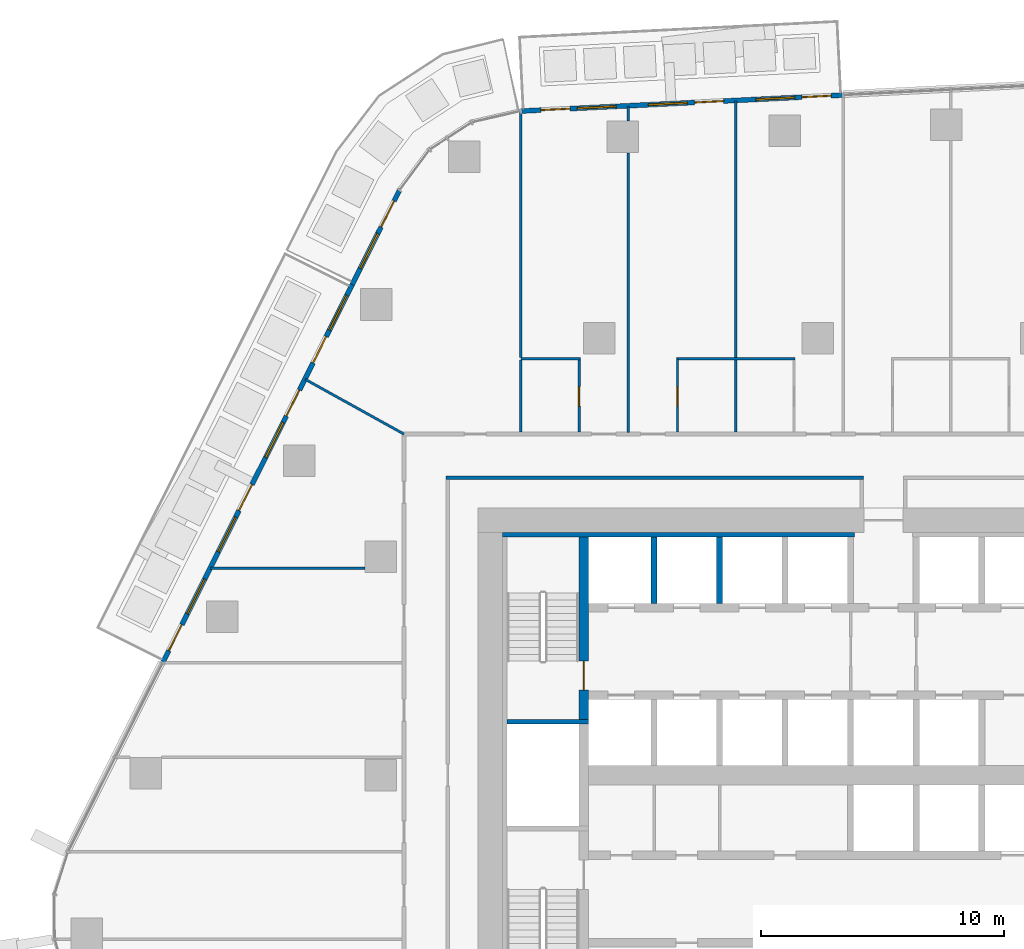
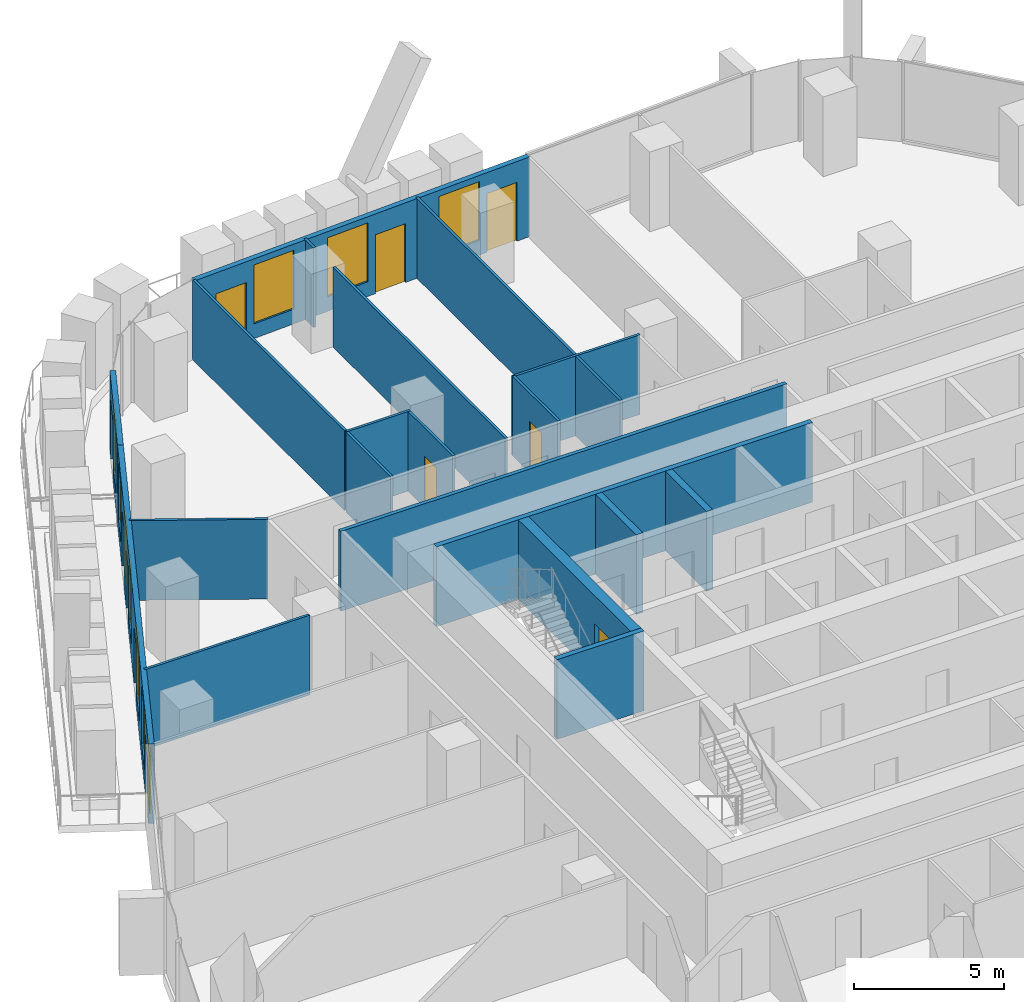
# One storey, part 16 of 26: 21 walls, 11 doors, 8 windows, 19 openings.
"""IFC4 building model written with IfcOpenShell, lengths in metres."""

from ifc_helpers import new_model, si_unit, direction, frame, frame_2d, origin, place, context, subcontext, project, spatial, rectangle, extrude, material, layer, layer_set, type_object, element, fill, save


model = new_model("IFC4")

# Units and contexts
model_context = context("Model", 3, precision=1e-05, world=origin(), true_north=direction((0.0, 1.0)))
body_context = subcontext(model_context, "Body", "Model", "MODEL_VIEW")
ifc_project = project(units=[si_unit("LENGTHUNIT", "METRE"), si_unit("AREAUNIT", "SQUARE_METRE"), si_unit("VOLUMEUNIT", "CUBIC_METRE"), si_unit("PLANEANGLEUNIT", "RADIAN"), si_unit("MASSUNIT", "GRAM", prefix="KILO")], contexts=[model_context])

# Site, building, storey
site_placement = place(None, origin())
site = spatial("IfcSite", under=ifc_project, at=site_placement, CompositionType="ELEMENT")
building_placement = place(site_placement, origin())
building = spatial("IfcBuilding", under=site, at=building_placement, Name="Dongbaek Canopy Tower", CompositionType="ELEMENT")
storey_placement = place(building_placement, frame((0.0, 0.0, 95.199951171875)))
storey = spatial("IfcBuildingStorey", under=building, at=storey_placement, Name="L19", CompositionType="ELEMENT", Elevation=95.199951171875)

# Walls
ifc_material_1 = material(Name="Concrete C60/75", Category="concrete")
ifc_layer_1 = layer(ifc_material_1, 0.199951171875)
ifc_layer_set_1 = layer_set([ifc_layer_1], Name="Core wall lining 200 Concrete C60/75")
wall_type_1 = type_object("IfcWallType", Name="Core wall lining 200 Concrete C60/75", PredefinedType="SHEAR", material=ifc_layer_set_1)
wall_1_placement = place(storey_placement, frame((-13.0, 9.89990234375, 0.0), z_axis=(0.0, 0.0, 1.0), x_axis=(1.0, 0.0, 0.0)))
element("IfcWall", 1, at=wall_1_placement, inside=storey, type_object=wall_type_1, Name="Core wall lining", PredefinedType="SHEAR", context=body_context, shape_type="SweptSolid", body=[
    extrude(rectangle(XDim=14.5, YDim=0.199951171875, at=frame_2d((7.25, 0.0))), origin(), (0.0, 0.0, 1.0), 3.25),
])
ifc_material_2 = material(Name="Gypsum board partition, steel stud, 2 x 15 mm fire board", Category="steel")
ifc_layer_2 = layer(ifc_material_2, 0.14990234375)
ifc_layer_set_2 = layer_set([ifc_layer_2], Name="Fire-rated partition 150 gypsum board")
wall_type_2 = type_object("IfcWallType", Name="Fire-rated partition 150 gypsum board", PredefinedType="PARTITIONING", material=ifc_layer_set_2)
wall_2_placement = place(storey_placement, frame((-15.324951171875, 12.25, 0.0), z_axis=(0.0, 0.0, 1.0), x_axis=(1.0, 0.0, 0.0)))
element("IfcWall", 2, at=wall_2_placement, inside=storey, type_object=wall_type_2, Name="Corridor partition", PredefinedType="PARTITIONING", context=body_context, shape_type="SweptSolid", body=[
    extrude(rectangle(XDim=17.199951171875, YDim=0.14990234375, at=frame_2d((8.60009765625, 0.0))), origin(), (0.0, 0.0, 1.0), 3.25),
])
ifc_material_3 = material(Name="Concrete C40/50", Category="concrete")
ifc_layer_3 = layer(ifc_material_3, 0.25)
ifc_layer_set_3 = layer_set([ifc_layer_3], Name="Lift shaft wall 250 Concrete C40/50")
wall_type_3 = type_object("IfcWallType", Name="Lift shaft wall 250 Concrete C40/50", PredefinedType="SOLIDWALL", material=ifc_layer_set_3)
for number, where, z_axis, x_axis, name in (
    (3, (-4.050048828125, 7.074951171875, 0.0), (0.0, 0.0, 1.0), (0.0, 1.0, 0.0), "Lift shaft wall"),
    (4, (-6.75, 7.074951171875, 0.0), (0.0, 0.0, 1.0), (0.0, 1.0, 0.0), "Lift shaft wall"),
):
    element("IfcWall", number, at=place(storey_placement, frame(where, z_axis=z_axis, x_axis=x_axis)), inside=storey, type_object=wall_type_3, Name=name, PredefinedType="SOLIDWALL", context=body_context, shape_type="SweptSolid", body=[
        extrude(rectangle(XDim=2.72509765625, YDim=0.25, at=frame_2d((1.362548828125, 0.0))), origin(), (0.0, 0.0, 1.0), 3.25),
    ])
ifc_material_4 = material(Name="Gypsum board partition, steel stud, 2 x 12.5 mm board", Category="steel")
ifc_layer_4 = layer(ifc_material_4, 0.10009765625)
ifc_layer_set_4 = layer_set([ifc_layer_4], Name="Partition 100 gypsum board")
wall_type_4 = type_object("IfcWallType", Name="Partition 100 gypsum board", PredefinedType="PARTITIONING", material=ifc_layer_set_4)
wall_3_placement = place(storey_placement, frame((-25.013427734375, 8.52294921875, 0.0), z_axis=(0.0, 0.0, 1.0), x_axis=(1.0, 0.0, 0.0)))
element("IfcWall", 5, at=wall_3_placement, inside=storey, type_object=wall_type_4, Name="Partition", PredefinedType="PARTITIONING", context=body_context, shape_type="SweptSolid", body=[
    extrude(rectangle(XDim=6.363525390625, YDim=0.10009765625, at=frame_2d((3.181640625, 0.0))), origin(), (0.0, 0.0, 1.0), 3.25),
])
wall_4_placement = place(storey_placement, frame((-12.238037109375, 17.14990234375, 0.0), z_axis=(0.0, 0.0, 1.0), x_axis=(1.0, 0.0, 0.0)))
element("IfcWall", 6, at=wall_4_placement, inside=storey, type_object=wall_type_4, Name="Partition", PredefinedType="PARTITIONING", context=body_context, shape_type="SweptSolid", body=[
    extrude(rectangle(XDim=2.449951171875, YDim=0.10009765625, at=frame_2d((1.22509765625, 0.0))), origin(), (0.0, 0.0, 1.0), 3.25),
])
wall_5_placement = place(storey_placement, frame((-5.83447265625, 17.14990234375, 0.0), z_axis=(0.0, 0.0, 1.0), x_axis=(1.0, 0.0, 0.0)))
element("IfcWall", 7, at=wall_5_placement, inside=storey, type_object=wall_type_4, Name="Partition", PredefinedType="PARTITIONING", context=body_context, shape_type="SweptSolid", body=[
    extrude(rectangle(XDim=4.89990234375, YDim=0.10009765625, at=frame_2d((2.449951171875, 0.0))), origin(), (0.0, 0.0, 1.0), 3.25),
])
wall_6_placement = place(storey_placement, frame((-3.385009765625, 14.125, 0.0), z_axis=(0.0, 0.0, 1.0), x_axis=(0.0, 1.0, 0.0)))
element("IfcWall", 8, at=wall_6_placement, inside=storey, type_object=wall_type_4, Name="Partition", PredefinedType="PARTITIONING", context=body_context, shape_type="SweptSolid", body=[
    extrude(rectangle(XDim=2.97509765625, YDim=0.10009765625, at=frame_2d((1.487548828125, 0.0))), origin(), (0.0, 0.0, 1.0), 3.25),
])
wall_7_placement = place(storey_placement, frame((-3.385009765625, 17.199951171875, 0.0), z_axis=(0.0, 0.0, 1.0), x_axis=(0.0, 1.0, 0.0)))
element("IfcWall", 9, at=wall_7_placement, inside=storey, type_object=wall_type_4, Name="Partition", PredefinedType="PARTITIONING", context=body_context, shape_type="SweptSolid", body=[
    extrude(rectangle(XDim=10.572998046875, YDim=0.10009765625, at=frame_2d((5.28662109375, 0.0))), origin(), (0.0, 0.0, 1.0), 3.25),
])

# Wall, opening, door
wall_8_placement = place(storey_placement, frame((-5.784912109375, 17.14990234375, 0.0), z_axis=(0.0, 0.0, 1.0), x_axis=(0.0, -1.0, 0.0)))
wall_8 = element("IfcWall", 10, at=wall_8_placement, inside=storey, type_object=wall_type_4, Name="Partition", PredefinedType="PARTITIONING", context=body_context, shape_type="SweptSolid", body=[
    extrude(rectangle(XDim=3.02490234375, YDim=0.10009765625, at=frame_2d((1.512451171875, 0.0))), origin(), (0.0, 0.0, 1.0), 3.25),
])
opening_1_placement = place(wall_8_placement, frame((1.14990234375, 0.0, 0.0)))
opening_1 = element("IfcOpeningElement", 11, at=opening_1_placement, cuts=wall_8, Name="Opening L19-D031", PredefinedType="OPENING", context=body_context, shape_type="SweptSolid", body=[
    extrude(rectangle(XDim=0.800048828125, YDim=2.10009765625, at=frame_2d((0.39990234375, 1.050048828125))), frame((0.0, 0.06005859375, 0.0), z_axis=(0.0, -1.0, 0.0), x_axis=(1.0, 0.0, 0.0)), (0.0, 0.0, 1.0), 0.1201171875),
])
ifc_material_5 = material(Name="Timber veneered door leaf", Category="wood")
door_type_1 = type_object("IfcDoorType", Name="En-suite door 800 x 2100", OperationType="SINGLE_SWING_LEFT", PredefinedType="DOOR", material=ifc_material_5)
door_1_placement = place(opening_1_placement, origin())
door_1 = element("IfcDoor", 12, at=door_1_placement, inside=storey, type_object=door_type_1, Name="Door L19-D031", OperationType="SINGLE_SWING_LEFT", OverallHeight=2.10009765625, OverallWidth=0.800048828125, PredefinedType="DOOR", context=body_context, shape_type="SweptSolid", body=[
    extrude(rectangle(XDim=0.800048828125, YDim=2.10009765625, at=frame_2d((0.39990234375, 1.050048828125))), frame((0.0, 0.02490234375, 0.0), z_axis=(0.0, -1.0, 0.0), x_axis=(1.0, 0.0, 0.0)), (0.0, 0.0, 1.0), 0.050048828125),
])
fill(opening_1, door_1)

# Walls
wall_9_placement = place(storey_placement, frame((-7.81103515625, 14.125, 0.0), z_axis=(0.0, 0.0, 1.0), x_axis=(0.0, 1.0, 0.0)))
element("IfcWall", 13, at=wall_9_placement, inside=storey, type_object=wall_type_4, Name="Partition", PredefinedType="PARTITIONING", context=body_context, shape_type="SweptSolid", body=[
    extrude(rectangle(XDim=11.512939453125, YDim=0.10009765625, at=frame_2d((5.75634765625, 0.0))), origin(), (0.0, 0.0, 1.0), 3.25),
])
wall_10_placement = place(storey_placement, frame((-7.81103515625, 26.93798828125, 0.0), z_axis=(0.0, 0.0, 1.0), x_axis=(0.0, 1.0, 0.0)))
element("IfcWall", 14, at=wall_10_placement, inside=storey, type_object=wall_type_4, Name="Partition", PredefinedType="PARTITIONING", context=body_context, shape_type="SweptSolid", body=[
    extrude(rectangle(XDim=0.615478515625, YDim=0.10009765625, at=frame_2d((0.3076171875, 0.0))), origin(), (0.0, 0.0, 1.0), 3.25),
])

# Wall, opening, door
wall_11_placement = place(storey_placement, frame((-9.837890625, 14.125, 0.0), z_axis=(0.0, 0.0, 1.0), x_axis=(0.0, 1.0, 0.0)))
wall_11 = element("IfcWall", 15, at=wall_11_placement, inside=storey, type_object=wall_type_4, Name="Partition", PredefinedType="PARTITIONING", context=body_context, shape_type="SweptSolid", body=[
    extrude(rectangle(XDim=3.02490234375, YDim=0.10009765625, at=frame_2d((1.512451171875, 0.0))), origin(), (0.0, 0.0, 1.0), 3.25),
])
opening_2_placement = place(wall_11_placement, frame((1.074951171875, 0.0, 0.0)))
opening_2 = element("IfcOpeningElement", 16, at=opening_2_placement, cuts=wall_11, Name="Opening L19-D033", PredefinedType="OPENING", context=body_context, shape_type="SweptSolid", body=[
    extrude(rectangle(XDim=0.800048828125, YDim=2.10009765625, at=frame_2d((0.39990234375, 1.050048828125))), frame((0.0, 0.06005859375, 0.0), z_axis=(0.0, -1.0, 0.0), x_axis=(1.0, 0.0, 0.0)), (0.0, 0.0, 1.0), 0.1201171875),
])
door_2_placement = place(opening_2_placement, origin())
door_2 = element("IfcDoor", 17, at=door_2_placement, inside=storey, type_object=door_type_1, Name="Door L19-D033", OperationType="SINGLE_SWING_RIGHT", OverallHeight=2.10009765625, OverallWidth=0.800048828125, PredefinedType="DOOR", context=body_context, shape_type="SweptSolid", body=[
    extrude(rectangle(XDim=0.800048828125, YDim=2.10009765625, at=frame_2d((0.39990234375, 1.050048828125))), frame((0.0, 0.02490234375, 0.0), z_axis=(0.0, -1.0, 0.0), x_axis=(1.0, 0.0, 0.0)), (0.0, 0.0, 1.0), 0.050048828125),
])
fill(opening_2, door_2)

# Walls
wall_12_placement = place(storey_placement, frame((-12.238037109375, 14.125, 0.0), z_axis=(0.0, 0.0, 1.0), x_axis=(0.0, 1.0, 0.0)))
element("IfcWall", 18, at=wall_12_placement, inside=storey, type_object=wall_type_4, Name="Partition", PredefinedType="PARTITIONING", context=body_context, shape_type="SweptSolid", body=[
    extrude(rectangle(XDim=2.97509765625, YDim=0.10009765625, at=frame_2d((1.487548828125, 0.0))), origin(), (0.0, 0.0, 1.0), 3.25),
])
wall_13_placement = place(storey_placement, frame((-12.238037109375, 17.199951171875, 0.0), z_axis=(0.0, 0.0, 1.0), x_axis=(0.0, 1.0, 0.0)))
element("IfcWall", 19, at=wall_13_placement, inside=storey, type_object=wall_type_4, Name="Partition", PredefinedType="PARTITIONING", context=body_context, shape_type="SweptSolid", body=[
    extrude(rectangle(XDim=10.13330078125, YDim=0.10009765625, at=frame_2d((5.066650390625, 0.0))), origin(), (0.0, 0.0, 1.0), 3.25),
])
wall_14_placement = place(storey_placement, frame((-21.115478515625, 16.302978515625, 0.0), z_axis=(0.0, 0.0, 1.0), x_axis=(0.874615252971, -0.484817655692, 0.0)))
element("IfcWall", 20, at=wall_14_placement, inside=storey, type_object=wall_type_4, Name="Partition", PredefinedType="PARTITIONING", context=body_context, shape_type="SweptSolid", body=[
    extrude(rectangle(XDim=4.64794921875, YDim=0.10009765625, at=frame_2d((2.323974609375, 0.0))), origin(), (0.0, 0.0, 1.0), 3.25),
])
ifc_material_6 = material(Name="Concrete C60/75", Category="concrete")
ifc_layer_5 = layer(ifc_material_6, 0.199951171875)
ifc_layer_set_5 = layer_set([ifc_layer_5], Name="Riser wall 200 Concrete C60/75")
wall_type_5 = type_object("IfcWallType", Name="Riser wall 200 Concrete C60/75", PredefinedType="SHEAR", material=ifc_layer_set_5)
wall_15_placement = place(storey_placement, frame((-9.449951171875, 2.199951171875, 0.0), z_axis=(0.0, 0.0, 1.0), x_axis=(-1.0, 0.0, 0.0)))
element("IfcWall", 21, at=wall_15_placement, inside=storey, type_object=wall_type_5, Name="Riser wall", PredefinedType="SHEAR", context=body_context, shape_type="SweptSolid", body=[
    extrude(rectangle(XDim=3.35009765625, YDim=0.199951171875, at=frame_2d((1.675048828125, 0.0))), origin(), (0.0, 0.0, 1.0), 3.25),
])

# Wall, opening, door
ifc_material_7 = material(Name="Concrete C60/75", Category="concrete")
ifc_layer_6 = layer(ifc_material_7, 0.39990234375)
ifc_layer_set_6 = layer_set([ifc_layer_6], Name="Stair wall 400 Concrete C60/75")
wall_type_6 = type_object("IfcWallType", Name="Stair wall 400 Concrete C60/75", PredefinedType="SHEAR", material=ifc_layer_set_6)
wall_16_placement = place(storey_placement, frame((-9.64990234375, 2.300048828125, 0.0), z_axis=(0.0, 0.0, 1.0), x_axis=(0.0, 1.0, 0.0)))
wall_16 = element("IfcWall", 22, at=wall_16_placement, inside=storey, type_object=wall_type_6, Name="Stair wall", PredefinedType="SHEAR", context=body_context, shape_type="SweptSolid", body=[
    extrude(rectangle(XDim=7.5, YDim=0.39990234375, at=frame_2d((3.75, 0.0))), origin(), (0.0, 0.0, 1.0), 3.25),
])
opening_3_placement = place(wall_16_placement, frame((1.199951171875, 0.0, 0.0)))
opening_3 = element("IfcOpeningElement", 23, at=opening_3_placement, cuts=wall_16, Name="Opening L19-D066", PredefinedType="OPENING", context=body_context, shape_type="SweptSolid", body=[
    extrude(rectangle(XDim=1.199951171875, YDim=2.10009765625, at=frame_2d((0.60009765625, 1.050048828125))), frame((0.0, 0.2099609375, 0.0), z_axis=(0.0, -1.0, 0.0), x_axis=(1.0, 0.0, 0.0)), (0.0, 0.0, 1.0), 0.419921875),
])
ifc_material_8 = material(Name="Steel", Category="steel")
door_type_2 = type_object("IfcDoorType", Name="Stair door 1200 x 2100", OperationType="SINGLE_SWING_LEFT", PredefinedType="DOOR", material=ifc_material_8)
door_3_placement = place(opening_3_placement, origin())
door_3 = element("IfcDoor", 24, at=door_3_placement, inside=storey, type_object=door_type_2, Name="Stair C door", OperationType="SINGLE_SWING_RIGHT", OverallHeight=2.10009765625, OverallWidth=1.199951171875, PredefinedType="DOOR", context=body_context, shape_type="SweptSolid", body=[
    extrude(rectangle(XDim=1.199951171875, YDim=2.10009765625, at=frame_2d((0.60009765625, 1.050048828125))), frame((0.0, 0.02490234375, 0.0), z_axis=(0.0, -1.0, 0.0), x_axis=(1.0, 0.0, 0.0)), (0.0, 0.0, 1.0), 0.050048828125),
])
fill(opening_3, door_3)

# Wall, openings, doors, windows
ifc_material_9 = material(Name="Aluminium window wall", Category="aluminium")
ifc_layer_7 = layer(ifc_material_9, 0.199951171875)
ifc_layer_set_7 = layer_set([ifc_layer_7], Name="Window wall 200")
wall_type_7 = type_object("IfcWallType", Name="Window wall 200", PredefinedType="SOLIDWALL", material=ifc_layer_set_7)
wall_17_placement = place(storey_placement, frame((1.042236328125, 28.012451171875, 0.0), z_axis=(0.0, 0.0, 1.0), x_axis=(-0.998772222794, -0.049538338427, 0.0)))
wall_17 = element("IfcWall", 25, at=wall_17_placement, inside=storey, type_object=wall_type_7, Name="Window wall L19 2", PredefinedType="SOLIDWALL", context=body_context, shape_type="SweptSolid", body=[
    extrude(rectangle(XDim=13.296630859375, YDim=0.199951171875, at=frame_2d((6.6484375, 0.0))), origin(), (0.0, 0.0, 1.0), 3.25),
])
opening_4_placement = place(wall_17_placement, frame((2.0, 0.0, 0.60009765625)))
opening_4 = element("IfcOpeningElement", 26, at=opening_4_placement, cuts=wall_17, Name="Opening W1", PredefinedType="OPENING", context=body_context, shape_type="SweptSolid", body=[
    extrude(rectangle(XDim=1.60009765625, YDim=2.39990234375, at=frame_2d((0.800048828125, 1.199951171875))), frame((0.0, 0.10986328125, 0.0), z_axis=(0.0, -1.0, 0.0), x_axis=(1.0, 0.0, 0.0)), (0.0, 0.0, 1.0), 0.219970703125),
])
opening_5_placement = place(wall_17_placement, frame((0.5, 0.0, 0.0)))
opening_5 = element("IfcOpeningElement", 27, at=opening_5_placement, cuts=wall_17, Name="Opening L19-B04", PredefinedType="OPENING", context=body_context, shape_type="SweptSolid", body=[
    extrude(rectangle(XDim=1.199951171875, YDim=2.39990234375, at=frame_2d((0.60009765625, 1.199951171875))), frame((0.0, 0.10986328125, 0.0), z_axis=(0.0, -1.0, 0.0), x_axis=(1.0, 0.0, 0.0)), (0.0, 0.0, 1.0), 0.219970703125),
])
opening_6_placement = place(wall_17_placement, frame((6.43212890625, 0.0, 0.60009765625)))
opening_6 = element("IfcOpeningElement", 28, at=opening_6_placement, cuts=wall_17, Name="Opening W1", PredefinedType="OPENING", context=body_context, shape_type="SweptSolid", body=[
    extrude(rectangle(XDim=1.60009765625, YDim=2.39990234375, at=frame_2d((0.800048828125, 1.199951171875))), frame((0.0, 0.10986328125, 0.0), z_axis=(0.0, -1.0, 0.0), x_axis=(1.0, 0.0, 0.0)), (0.0, 0.0, 1.0), 0.219970703125),
])
opening_7_placement = place(wall_17_placement, frame((4.93212890625, 0.0, 0.0)))
opening_7 = element("IfcOpeningElement", 29, at=opening_7_placement, cuts=wall_17, Name="Opening L19-B05", PredefinedType="OPENING", context=body_context, shape_type="SweptSolid", body=[
    extrude(rectangle(XDim=1.199951171875, YDim=2.39990234375, at=frame_2d((0.60009765625, 1.199951171875))), frame((0.0, 0.10986328125, 0.0), z_axis=(0.0, -1.0, 0.0), x_axis=(1.0, 0.0, 0.0)), (0.0, 0.0, 1.0), 0.219970703125),
])
opening_8_placement = place(wall_17_placement, frame((9.364501953125, 0.0, 0.60009765625)))
opening_8 = element("IfcOpeningElement", 30, at=opening_8_placement, cuts=wall_17, Name="Opening W1", PredefinedType="OPENING", context=body_context, shape_type="SweptSolid", body=[
    extrude(rectangle(XDim=1.60009765625, YDim=2.39990234375, at=frame_2d((0.800048828125, 1.199951171875))), frame((0.0, 0.10986328125, 0.0), z_axis=(0.0, -1.0, 0.0), x_axis=(1.0, 0.0, 0.0)), (0.0, 0.0, 1.0), 0.219970703125),
])
opening_9_placement = place(wall_17_placement, frame((11.264404296875, 0.0, 0.0)))
opening_9 = element("IfcOpeningElement", 31, at=opening_9_placement, cuts=wall_17, Name="Opening L19-B06", PredefinedType="OPENING", context=body_context, shape_type="SweptSolid", body=[
    extrude(rectangle(XDim=1.199951171875, YDim=2.39990234375, at=frame_2d((0.60009765625, 1.199951171875))), frame((0.0, 0.10986328125, 0.0), z_axis=(0.0, -1.0, 0.0), x_axis=(1.0, 0.0, 0.0)), (0.0, 0.0, 1.0), 0.219970703125),
])
ifc_material_10 = material(Name="Clear glazing in aluminium frame", Category="aluminium")
door_type_3 = type_object("IfcDoorType", Name="Balcony door BD1 1200 x 2400", OperationType="SLIDING_TO_LEFT", PredefinedType="DOOR", material=ifc_material_10)
door_4_placement = place(opening_5_placement, origin())
door_4 = element("IfcDoor", 32, at=door_4_placement, inside=storey, type_object=door_type_3, Name="Balcony door L19-B04", OperationType="SLIDING_TO_LEFT", OverallHeight=2.39990234375, OverallWidth=1.199951171875, PredefinedType="DOOR", context=body_context, shape_type="SweptSolid", body=[
    extrude(rectangle(XDim=1.199951171875, YDim=2.39990234375, at=frame_2d((0.60009765625, 1.199951171875))), frame((0.0, 0.02490234375, 0.0), z_axis=(0.0, -1.0, 0.0), x_axis=(1.0, 0.0, 0.0)), (0.0, 0.0, 1.0), 0.050048828125),
])
fill(opening_5, door_4)
door_5_placement = place(opening_7_placement, origin())
door_5 = element("IfcDoor", 33, at=door_5_placement, inside=storey, type_object=door_type_3, Name="Balcony door L19-B05", OperationType="SLIDING_TO_LEFT", OverallHeight=2.39990234375, OverallWidth=1.199951171875, PredefinedType="DOOR", context=body_context, shape_type="SweptSolid", body=[
    extrude(rectangle(XDim=1.199951171875, YDim=2.39990234375, at=frame_2d((0.60009765625, 1.199951171875))), frame((0.0, 0.02490234375, 0.0), z_axis=(0.0, -1.0, 0.0), x_axis=(1.0, 0.0, 0.0)), (0.0, 0.0, 1.0), 0.050048828125),
])
fill(opening_7, door_5)
door_6_placement = place(opening_9_placement, origin())
door_6 = element("IfcDoor", 34, at=door_6_placement, inside=storey, type_object=door_type_3, Name="Balcony door L19-B06", OperationType="SLIDING_TO_LEFT", OverallHeight=2.39990234375, OverallWidth=1.199951171875, PredefinedType="DOOR", context=body_context, shape_type="SweptSolid", body=[
    extrude(rectangle(XDim=1.199951171875, YDim=2.39990234375, at=frame_2d((0.60009765625, 1.199951171875))), frame((0.0, 0.02490234375, 0.0), z_axis=(0.0, -1.0, 0.0), x_axis=(1.0, 0.0, 0.0)), (0.0, 0.0, 1.0), 0.050048828125),
])
fill(opening_9, door_6)
ifc_material_11 = material(Name="Clear glazing in aluminium frame", Category="aluminium")
window_type = type_object("IfcWindowType", Name="Window W1 1600 x 2400", PartitioningType="SINGLE_PANEL", PredefinedType="WINDOW", material=ifc_material_11)
window_1_placement = place(opening_4_placement, origin())
window_1 = element("IfcWindow", 35, at=window_1_placement, inside=storey, type_object=window_type, Name="Window L19 2.1", OverallHeight=2.39990234375, OverallWidth=1.60009765625, PartitioningType="SINGLE_PANEL", PredefinedType="WINDOW", context=body_context, shape_type="SweptSolid", body=[
    extrude(rectangle(XDim=1.60009765625, YDim=2.39990234375, at=frame_2d((0.800048828125, 1.199951171875))), frame((0.0, 0.030029296875, 0.0), z_axis=(0.0, -1.0, 0.0), x_axis=(1.0, 0.0, 0.0)), (0.0, 0.0, 1.0), 0.06005859375),
])
fill(opening_4, window_1)
window_2_placement = place(opening_6_placement, origin())
window_2 = element("IfcWindow", 36, at=window_2_placement, inside=storey, type_object=window_type, Name="Window L19 2.2", OverallHeight=2.39990234375, OverallWidth=1.60009765625, PartitioningType="SINGLE_PANEL", PredefinedType="WINDOW", context=body_context, shape_type="SweptSolid", body=[
    extrude(rectangle(XDim=1.60009765625, YDim=2.39990234375, at=frame_2d((0.800048828125, 1.199951171875))), frame((0.0, 0.030029296875, 0.0), z_axis=(0.0, -1.0, 0.0), x_axis=(1.0, 0.0, 0.0)), (0.0, 0.0, 1.0), 0.06005859375),
])
fill(opening_6, window_2)
window_3_placement = place(opening_8_placement, origin())
window_3 = element("IfcWindow", 37, at=window_3_placement, inside=storey, type_object=window_type, Name="Window L19 2.3", OverallHeight=2.39990234375, OverallWidth=1.60009765625, PartitioningType="SINGLE_PANEL", PredefinedType="WINDOW", context=body_context, shape_type="SweptSolid", body=[
    extrude(rectangle(XDim=1.60009765625, YDim=2.39990234375, at=frame_2d((0.800048828125, 1.199951171875))), frame((0.0, 0.030029296875, 0.0), z_axis=(0.0, -1.0, 0.0), x_axis=(1.0, 0.0, 0.0)), (0.0, 0.0, 1.0), 0.06005859375),
])
fill(opening_8, window_3)

wall_18_placement = place(storey_placement, frame((-19.18115234375, 20.20849609375, 0.0), z_axis=(0.0, 0.0, 1.0), x_axis=(-0.447953166305, -0.894057023236, 0.0)))
wall_18 = element("IfcWall", 38, at=wall_18_placement, inside=storey, type_object=wall_type_7, Name="Window wall L19 3", PredefinedType="SOLIDWALL", context=body_context, shape_type="SweptSolid", body=[
    extrude(rectangle(XDim=17.42626953125, YDim=0.199951171875, at=frame_2d((8.713134765625, 0.0))), origin(), (0.0, 0.0, 1.0), 3.25),
])
opening_10_placement = place(wall_18_placement, frame((0.5, 0.0, 0.60009765625)))
opening_10 = element("IfcOpeningElement", 39, at=opening_10_placement, cuts=wall_18, Name="Opening W1", PredefinedType="OPENING", context=body_context, shape_type="SweptSolid", body=[
    extrude(rectangle(XDim=1.60009765625, YDim=2.39990234375, at=frame_2d((0.800048828125, 1.199951171875))), frame((0.0, 0.10986328125, 0.0), z_axis=(0.0, -1.0, 0.0), x_axis=(1.0, 0.0, 0.0)), (0.0, 0.0, 1.0), 0.219970703125),
])
opening_11_placement = place(wall_18_placement, frame((2.39990234375, 0.0, 0.0)))
opening_11 = element("IfcOpeningElement", 40, at=opening_11_placement, cuts=wall_18, Name="Opening L19-B07", PredefinedType="OPENING", context=body_context, shape_type="SweptSolid", body=[
    extrude(rectangle(XDim=1.199951171875, YDim=2.39990234375, at=frame_2d((0.60009765625, 1.199951171875))), frame((0.0, 0.10986328125, 0.0), z_axis=(0.0, -1.0, 0.0), x_axis=(1.0, 0.0, 0.0)), (0.0, 0.0, 1.0), 0.219970703125),
])
opening_12_placement = place(wall_18_placement, frame((6.356689453125, 0.0, 0.60009765625)))
opening_12 = element("IfcOpeningElement", 41, at=opening_12_placement, cuts=wall_18, Name="Opening W1", PredefinedType="OPENING", context=body_context, shape_type="SweptSolid", body=[
    extrude(rectangle(XDim=1.60009765625, YDim=2.39990234375, at=frame_2d((0.800048828125, 1.199951171875))), frame((0.0, 0.10986328125, 0.0), z_axis=(0.0, -1.0, 0.0), x_axis=(1.0, 0.0, 0.0)), (0.0, 0.0, 1.0), 0.219970703125),
])
opening_13_placement = place(wall_18_placement, frame((4.856689453125, 0.0, 0.0)))
opening_13 = element("IfcOpeningElement", 42, at=opening_13_placement, cuts=wall_18, Name="Opening L19-B08", PredefinedType="OPENING", context=body_context, shape_type="SweptSolid", body=[
    extrude(rectangle(XDim=1.199951171875, YDim=2.39990234375, at=frame_2d((0.60009765625, 1.199951171875))), frame((0.0, 0.10986328125, 0.0), z_axis=(0.0, -1.0, 0.0), x_axis=(1.0, 0.0, 0.0)), (0.0, 0.0, 1.0), 0.219970703125),
])
opening_14_placement = place(wall_18_placement, frame((10.713134765625, 0.0, 0.60009765625)))
opening_14 = element("IfcOpeningElement", 43, at=opening_14_placement, cuts=wall_18, Name="Opening W1", PredefinedType="OPENING", context=body_context, shape_type="SweptSolid", body=[
    extrude(rectangle(XDim=1.60009765625, YDim=2.39990234375, at=frame_2d((0.800048828125, 1.199951171875))), frame((0.0, 0.10986328125, 0.0), z_axis=(0.0, -1.0, 0.0), x_axis=(1.0, 0.0, 0.0)), (0.0, 0.0, 1.0), 0.219970703125),
])
opening_15_placement = place(wall_18_placement, frame((9.213134765625, 0.0, 0.0)))
opening_15 = element("IfcOpeningElement", 44, at=opening_15_placement, cuts=wall_18, Name="Opening L19-B09", PredefinedType="OPENING", context=body_context, shape_type="SweptSolid", body=[
    extrude(rectangle(XDim=1.199951171875, YDim=2.39990234375, at=frame_2d((0.60009765625, 1.199951171875))), frame((0.0, 0.10986328125, 0.0), z_axis=(0.0, -1.0, 0.0), x_axis=(1.0, 0.0, 0.0)), (0.0, 0.0, 1.0), 0.219970703125),
])
opening_16_placement = place(wall_18_placement, frame((13.56982421875, 0.0, 0.60009765625)))
opening_16 = element("IfcOpeningElement", 45, at=opening_16_placement, cuts=wall_18, Name="Opening W1", PredefinedType="OPENING", context=body_context, shape_type="SweptSolid", body=[
    extrude(rectangle(XDim=1.60009765625, YDim=2.39990234375, at=frame_2d((0.800048828125, 1.199951171875))), frame((0.0, 0.10986328125, 0.0), z_axis=(0.0, -1.0, 0.0), x_axis=(1.0, 0.0, 0.0)), (0.0, 0.0, 1.0), 0.219970703125),
])
opening_17_placement = place(wall_18_placement, frame((15.669921875, 0.0, 0.0)))
opening_17 = element("IfcOpeningElement", 46, at=opening_17_placement, cuts=wall_18, Name="Opening L19-B10", PredefinedType="OPENING", context=body_context, shape_type="SweptSolid", body=[
    extrude(rectangle(XDim=1.199951171875, YDim=2.39990234375, at=frame_2d((0.60009765625, 1.199951171875))), frame((0.0, 0.10986328125, 0.0), z_axis=(0.0, -1.0, 0.0), x_axis=(1.0, 0.0, 0.0)), (0.0, 0.0, 1.0), 0.219970703125),
])
door_7_placement = place(opening_11_placement, origin())
door_7 = element("IfcDoor", 47, at=door_7_placement, inside=storey, type_object=door_type_3, Name="Balcony door L19-B07", OperationType="SLIDING_TO_LEFT", OverallHeight=2.39990234375, OverallWidth=1.199951171875, PredefinedType="DOOR", context=body_context, shape_type="SweptSolid", body=[
    extrude(rectangle(XDim=1.199951171875, YDim=2.39990234375, at=frame_2d((0.60009765625, 1.199951171875))), frame((0.0, 0.02490234375, 0.0), z_axis=(0.0, -1.0, 0.0), x_axis=(1.0, 0.0, 0.0)), (0.0, 0.0, 1.0), 0.050048828125),
])
fill(opening_11, door_7)
door_8_placement = place(opening_13_placement, origin())
door_8 = element("IfcDoor", 48, at=door_8_placement, inside=storey, type_object=door_type_3, Name="Balcony door L19-B08", OperationType="SLIDING_TO_LEFT", OverallHeight=2.39990234375, OverallWidth=1.199951171875, PredefinedType="DOOR", context=body_context, shape_type="SweptSolid", body=[
    extrude(rectangle(XDim=1.199951171875, YDim=2.39990234375, at=frame_2d((0.60009765625, 1.199951171875))), frame((0.0, 0.02490234375, 0.0), z_axis=(0.0, -1.0, 0.0), x_axis=(1.0, 0.0, 0.0)), (0.0, 0.0, 1.0), 0.050048828125),
])
fill(opening_13, door_8)
door_9_placement = place(opening_15_placement, origin())
door_9 = element("IfcDoor", 49, at=door_9_placement, inside=storey, type_object=door_type_3, Name="Balcony door L19-B09", OperationType="SLIDING_TO_LEFT", OverallHeight=2.39990234375, OverallWidth=1.199951171875, PredefinedType="DOOR", context=body_context, shape_type="SweptSolid", body=[
    extrude(rectangle(XDim=1.199951171875, YDim=2.39990234375, at=frame_2d((0.60009765625, 1.199951171875))), frame((0.0, 0.02490234375, 0.0), z_axis=(0.0, -1.0, 0.0), x_axis=(1.0, 0.0, 0.0)), (0.0, 0.0, 1.0), 0.050048828125),
])
fill(opening_15, door_9)
door_10_placement = place(opening_17_placement, origin())
door_10 = element("IfcDoor", 50, at=door_10_placement, inside=storey, type_object=door_type_3, Name="Balcony door L19-B10", OperationType="SLIDING_TO_LEFT", OverallHeight=2.39990234375, OverallWidth=1.199951171875, PredefinedType="DOOR", context=body_context, shape_type="SweptSolid", body=[
    extrude(rectangle(XDim=1.199951171875, YDim=2.39990234375, at=frame_2d((0.60009765625, 1.199951171875))), frame((0.0, 0.02490234375, 0.0), z_axis=(0.0, -1.0, 0.0), x_axis=(1.0, 0.0, 0.0)), (0.0, 0.0, 1.0), 0.050048828125),
])
fill(opening_17, door_10)
window_4_placement = place(opening_10_placement, origin())
window_4 = element("IfcWindow", 51, at=window_4_placement, inside=storey, type_object=window_type, Name="Window L19 3.1", OverallHeight=2.39990234375, OverallWidth=1.60009765625, PartitioningType="SINGLE_PANEL", PredefinedType="WINDOW", context=body_context, shape_type="SweptSolid", body=[
    extrude(rectangle(XDim=1.60009765625, YDim=2.39990234375, at=frame_2d((0.800048828125, 1.199951171875))), frame((0.0, 0.030029296875, 0.0), z_axis=(0.0, -1.0, 0.0), x_axis=(1.0, 0.0, 0.0)), (0.0, 0.0, 1.0), 0.06005859375),
])
fill(opening_10, window_4)
window_5_placement = place(opening_12_placement, origin())
window_5 = element("IfcWindow", 52, at=window_5_placement, inside=storey, type_object=window_type, Name="Window L19 3.2", OverallHeight=2.39990234375, OverallWidth=1.60009765625, PartitioningType="SINGLE_PANEL", PredefinedType="WINDOW", context=body_context, shape_type="SweptSolid", body=[
    extrude(rectangle(XDim=1.60009765625, YDim=2.39990234375, at=frame_2d((0.800048828125, 1.199951171875))), frame((0.0, 0.030029296875, 0.0), z_axis=(0.0, -1.0, 0.0), x_axis=(1.0, 0.0, 0.0)), (0.0, 0.0, 1.0), 0.06005859375),
])
fill(opening_12, window_5)
window_6_placement = place(opening_14_placement, origin())
window_6 = element("IfcWindow", 53, at=window_6_placement, inside=storey, type_object=window_type, Name="Window L19 3.3", OverallHeight=2.39990234375, OverallWidth=1.60009765625, PartitioningType="SINGLE_PANEL", PredefinedType="WINDOW", context=body_context, shape_type="SweptSolid", body=[
    extrude(rectangle(XDim=1.60009765625, YDim=2.39990234375, at=frame_2d((0.800048828125, 1.199951171875))), frame((0.0, 0.030029296875, 0.0), z_axis=(0.0, -1.0, 0.0), x_axis=(1.0, 0.0, 0.0)), (0.0, 0.0, 1.0), 0.06005859375),
])
fill(opening_14, window_6)
window_7_placement = place(opening_16_placement, origin())
window_7 = element("IfcWindow", 54, at=window_7_placement, inside=storey, type_object=window_type, Name="Window L19 3.4", OverallHeight=2.39990234375, OverallWidth=1.60009765625, PartitioningType="SINGLE_PANEL", PredefinedType="WINDOW", context=body_context, shape_type="SweptSolid", body=[
    extrude(rectangle(XDim=1.60009765625, YDim=2.39990234375, at=frame_2d((0.800048828125, 1.199951171875))), frame((0.0, 0.030029296875, 0.0), z_axis=(0.0, -1.0, 0.0), x_axis=(1.0, 0.0, 0.0)), (0.0, 0.0, 1.0), 0.06005859375),
])
fill(opening_16, window_7)

# Wall, openings, door, window
wall_19_placement = place(storey_placement, frame((-17.2333984375, 24.095703125, 0.0), z_axis=(0.0, 0.0, 1.0), x_axis=(-0.447977093624, -0.89404503443, 0.0)))
wall_19 = element("IfcWall", 55, at=wall_19_placement, inside=storey, type_object=wall_type_7, Name="Window wall L19 7", PredefinedType="SOLIDWALL", context=body_context, shape_type="SweptSolid", body=[
    extrude(rectangle(XDim=4.347900390625, YDim=0.199951171875, at=frame_2d((2.173828125, 0.0))), origin(), (0.0, 0.0, 1.0), 3.25),
])
opening_18_placement = place(wall_19_placement, frame((2.0, 0.0, 0.60009765625)))
opening_18 = element("IfcOpeningElement", 56, at=opening_18_placement, cuts=wall_19, Name="Opening W1", PredefinedType="OPENING", context=body_context, shape_type="SweptSolid", body=[
    extrude(rectangle(XDim=1.60009765625, YDim=2.39990234375, at=frame_2d((0.800048828125, 1.199951171875))), frame((0.0, 0.10986328125, 0.0), z_axis=(0.0, -1.0, 0.0), x_axis=(1.0, 0.0, 0.0)), (0.0, 0.0, 1.0), 0.219970703125),
])
opening_19_placement = place(wall_19_placement, frame((0.5, 0.0, 0.0)))
opening_19 = element("IfcOpeningElement", 57, at=opening_19_placement, cuts=wall_19, Name="Opening L19-B11", PredefinedType="OPENING", context=body_context, shape_type="SweptSolid", body=[
    extrude(rectangle(XDim=1.199951171875, YDim=2.39990234375, at=frame_2d((0.60009765625, 1.199951171875))), frame((0.0, 0.10986328125, 0.0), z_axis=(0.0, -1.0, 0.0), x_axis=(1.0, 0.0, 0.0)), (0.0, 0.0, 1.0), 0.219970703125),
])
door_11_placement = place(opening_19_placement, origin())
door_11 = element("IfcDoor", 58, at=door_11_placement, inside=storey, type_object=door_type_3, Name="Balcony door L19-B11", OperationType="SLIDING_TO_LEFT", OverallHeight=2.39990234375, OverallWidth=1.199951171875, PredefinedType="DOOR", context=body_context, shape_type="SweptSolid", body=[
    extrude(rectangle(XDim=1.199951171875, YDim=2.39990234375, at=frame_2d((0.60009765625, 1.199951171875))), frame((0.0, 0.02490234375, 0.0), z_axis=(0.0, -1.0, 0.0), x_axis=(1.0, 0.0, 0.0)), (0.0, 0.0, 1.0), 0.050048828125),
])
fill(opening_19, door_11)
window_8_placement = place(opening_18_placement, origin())
window_8 = element("IfcWindow", 59, at=window_8_placement, inside=storey, type_object=window_type, Name="Window L19 7.1", OverallHeight=2.39990234375, OverallWidth=1.60009765625, PartitioningType="SINGLE_PANEL", PredefinedType="WINDOW", context=body_context, shape_type="SweptSolid", body=[
    extrude(rectangle(XDim=1.60009765625, YDim=2.39990234375, at=frame_2d((0.800048828125, 1.199951171875))), frame((0.0, 0.030029296875, 0.0), z_axis=(0.0, -1.0, 0.0), x_axis=(1.0, 0.0, 0.0)), (0.0, 0.0, 1.0), 0.06005859375),
])
fill(opening_18, window_8)

save(model, "model.ifc")
